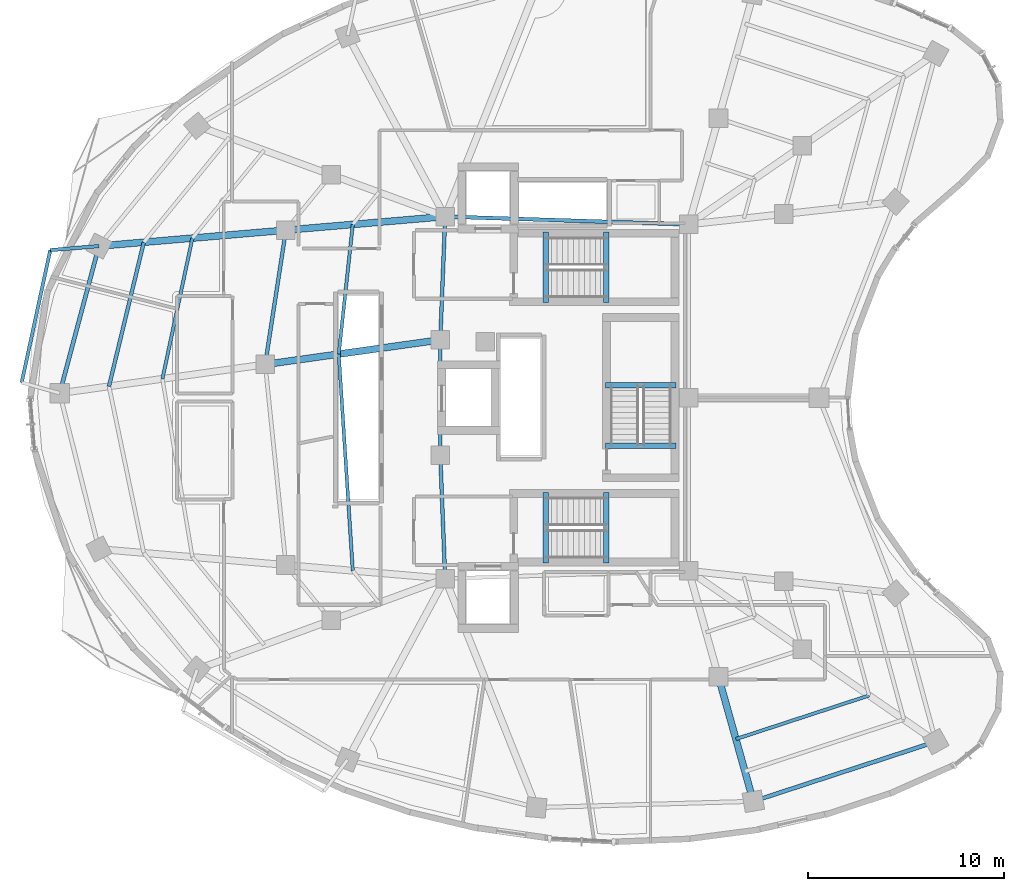
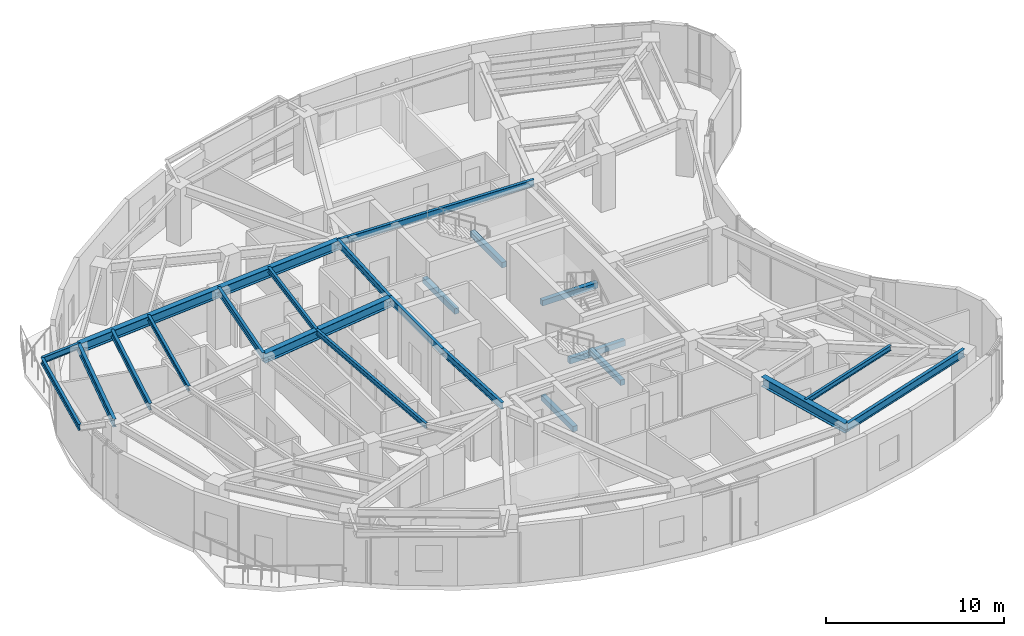
# One storey, part 3 of 15: 24 beams.
"""IFC4 building model written with IfcOpenShell, lengths in metres."""

from ifc_helpers import new_model, si_unit, direction, frame, origin, origin_2d, place, context, subcontext, project, spatial, rectangle, i_section, extrude, material, material_profile, profile_set, type_object, element, save


model = new_model("IFC4")

# Units and contexts
model_context = context("Model", 3, precision=1e-05, world=origin(), true_north=direction((0.0, 1.0)))
body_context = subcontext(model_context, "Body", "Model", "MODEL_VIEW")
ifc_project = project(units=[si_unit("LENGTHUNIT", "METRE"), si_unit("AREAUNIT", "SQUARE_METRE"), si_unit("VOLUMEUNIT", "CUBIC_METRE"), si_unit("PLANEANGLEUNIT", "RADIAN"), si_unit("MASSUNIT", "GRAM", prefix="KILO")], contexts=[model_context])

# Site, building, storey
site_placement = place(None, origin())
site = spatial("IfcSite", under=ifc_project, at=site_placement, CompositionType="ELEMENT")
building_placement = place(site_placement, origin())
building = spatial("IfcBuilding", under=site, at=building_placement, Name="Korentha Bioscience Tower", CompositionType="ELEMENT")
storey_placement = place(building_placement, frame((0.0, 0.0, 235.199951171875)))
storey = spatial("IfcBuildingStorey", under=building, at=storey_placement, Name="L54", CompositionType="ELEMENT", Elevation=235.199951171875)

# Beams
ifc_material_1 = material(Name="Concrete C50", Category="concrete")
ifc_material_profile_1 = material_profile(ifc_material_1, rectangle(XDim=0.280029296875, YDim=0.3798828125, at=origin_2d()), Name="Concrete C50")
ifc_profile_set_1 = profile_set([ifc_material_profile_1], Name="Concrete C50 (ST-HB380)")
beam_type_1 = type_object("IfcBeamType", Name="Concrete Stair Header Beam RC 280x380", PredefinedType="BEAM", material=ifc_profile_set_1)
for number, where, z_axis, x_axis, name in (
    (1, (30.25, 31.85009765625, -0.18994140625), (0.0, 1.0, 0.0), (-1.0, 0.0, 0.0), "L54 ST-1 Concrete Stair Header Beam"),
    (2, (33.330078125, 31.85009765625, 1.91015625), (0.0, 1.0, 0.0), (-1.0, 0.0, 0.0), "L54 ST-1 Half-Landing Header Beam 1"),
    (3, (30.25, 18.550048828125, -0.18994140625), (0.0, 1.0, 0.0), (-1.0, 0.0, 0.0), "L54 ST-2 Concrete Stair Header Beam"),
    (4, (33.330078125, 18.550048828125, 1.91015625), (0.0, 1.0, 0.0), (-1.0, 0.0, 0.0), "L54 ST-2 Half-Landing Header Beam 1"),
    (5, (36.89990234375, 24.550048828125, -0.18994140625), (-1.0, 0.0, 0.0), (0.0, -1.0, 0.0), "L54 ST-3 Concrete Stair Header Beam"),
    (6, (36.89990234375, 27.6298828125, 1.91015625), (-1.0, 0.0, 0.0), (0.0, -1.0, 0.0), "L54 ST-3 Half-Landing Header Beam 1"),
):
    element("IfcBeam", number, at=place(storey_placement, frame(where, z_axis=z_axis, x_axis=x_axis)), inside=storey, type_object=beam_type_1, Name=name, PredefinedType="BEAM", context=body_context, shape_type="SweptSolid", body=[
        extrude(rectangle(XDim=0.280029296875, YDim=0.3798828125, at=origin_2d()), origin(), (0.0, 0.0, 1.0), 3.599853515625),
    ])
ifc_material_2 = material(Name="Steel S355", Category="steel")
ifc_material_profile_2 = material_profile(ifc_material_2, i_section(OverallWidth=0.18994140625, OverallDepth=0.45703125, WebThickness=0.009033203125, FlangeThickness=0.014404296875, at=origin_2d()), Name="Steel S355")
ifc_profile_set_2 = profile_set([ifc_material_profile_2], Name="Steel S355 (MB-460)")
beam_type_2 = type_object("IfcBeamType", Name="Mid-Ring Tie Girder W460x74", PredefinedType="BEAM", material=ifc_profile_set_2)
beam_1_placement = place(storey_placement, frame((16.96044921875, 35.555908203125, 3.671630859375), z_axis=(-0.152313520838, -0.988332227224, 0.0), x_axis=(0.988332227224, -0.152313520838, 0.0)))
element("IfcBeam", 7, at=beam_1_placement, inside=storey, type_object=beam_type_2, Name="L54 Mid-Ring Tie Girder 06", PredefinedType="BEAM", context=body_context, shape_type="SweptSolid", body=[
    extrude(i_section(OverallWidth=0.18994140625, OverallDepth=0.45703125, WebThickness=0.009033203125, FlangeThickness=0.014404296875, at=origin_2d()), origin(), (0.0, 0.0, 1.0), 6.942138671875),
])
beam_2_placement = place(storey_placement, frame((37.550048828125, 35.85009765625, 3.671630859375), z_axis=(-0.999484526071, 0.032104238723, 0.0), x_axis=(-0.032104238723, -0.999484526071, 0.0)))
element("IfcBeam", 8, at=beam_2_placement, inside=storey, type_object=beam_type_2, Name="L54 Core Ring Tie Girder 01", PredefinedType="BEAM", context=body_context, shape_type="SweptSolid", body=[
    extrude(i_section(OverallWidth=0.18994140625, OverallDepth=0.45703125, WebThickness=0.009033203125, FlangeThickness=0.014404296875, at=origin_2d()), origin(), (0.0, 0.0, 1.0), 12.456298828125),
])
beam_3_placement = place(storey_placement, frame((25.10009765625, 36.25, 3.671630859375), z_axis=(-0.039651025576, -0.999213588864, 0.0), x_axis=(0.999213588864, -0.039651025576, 0.0)))
element("IfcBeam", 9, at=beam_3_placement, inside=storey, type_object=beam_type_2, Name="L54 Core Ring Tie Girder 02", PredefinedType="BEAM", context=body_context, shape_type="SweptSolid", body=[
    extrude(i_section(OverallWidth=0.18994140625, OverallDepth=0.45703125, WebThickness=0.009033203125, FlangeThickness=0.014404296875, at=origin_2d()), origin(), (0.0, 0.0, 1.0), 6.304931640625),
])
beam_4_placement = place(storey_placement, frame((24.85009765625, 29.949951171875, 3.671630859375), z_axis=(0.0, -1.0, 0.0), x_axis=(1.0, 0.0, 0.0)))
element("IfcBeam", 10, at=beam_4_placement, inside=storey, type_object=beam_type_2, Name="L54 Core Ring Tie Girder 03", PredefinedType="BEAM", context=body_context, shape_type="SweptSolid", body=[
    extrude(i_section(OverallWidth=0.18994140625, OverallDepth=0.45703125, WebThickness=0.009033203125, FlangeThickness=0.014404296875, at=origin_2d()), origin(), (0.0, 0.0, 1.0), 5.89990234375),
])
beam_5_placement = place(storey_placement, frame((24.85009765625, 24.050048828125, 3.671630859375), z_axis=(0.039651025576, -0.999213588864, 0.0), x_axis=(0.999213588864, 0.039651025576, 0.0)))
element("IfcBeam", 11, at=beam_5_placement, inside=storey, type_object=beam_type_2, Name="L54 Core Ring Tie Girder 04", PredefinedType="BEAM", context=body_context, shape_type="SweptSolid", body=[
    extrude(i_section(OverallWidth=0.18994140625, OverallDepth=0.45703125, WebThickness=0.009033203125, FlangeThickness=0.014404296875, at=origin_2d()), origin(), (0.0, 0.0, 1.0), 6.304931640625),
])
ifc_material_profile_3 = material_profile(ifc_material_2, i_section(OverallWidth=0.208984375, OverallDepth=0.532958984375, WebThickness=0.01025390625, FlangeThickness=0.015625, at=origin_2d()), Name="Steel S355")
ifc_profile_set_3 = profile_set([ifc_material_profile_3], Name="Steel S355 (SB-530)")
beam_type_3 = type_object("IfcBeamType", Name="Perimeter Ring Spandrel Girder W530x92", PredefinedType="SPANDREL", material=ifc_profile_set_3)
beam_6_placement = place(storey_placement, frame((7.4052734375, 34.741455078125, 3.633544921875), z_axis=(-0.257674365533, -0.966231815532, 0.0), x_axis=(0.966231815532, -0.257674365533, 0.0)))
element("IfcBeam", 12, at=beam_6_placement, inside=storey, type_object=beam_type_3, Name="L54 Perimeter Spandrel Girder 06", PredefinedType="SPANDREL", context=body_context, shape_type="SweptSolid", body=[
    extrude(i_section(OverallWidth=0.208984375, OverallDepth=0.532958984375, WebThickness=0.01025390625, FlangeThickness=0.015625, at=origin_2d()), origin(), (0.0, 0.0, 1.0), 7.782470703125),
])
beam_7_placement = place(storey_placement, frame((40.846923828125, 6.367919921875, 3.633544921875), z_axis=(0.950449256032, 0.310879738338, 0.0), x_axis=(-0.310879738338, 0.950449256032, 0.0)))
element("IfcBeam", 13, at=beam_7_placement, inside=storey, type_object=beam_type_3, Name="L54 Perimeter Spandrel Girder 12", PredefinedType="SPANDREL", context=body_context, shape_type="SweptSolid", body=[
    extrude(i_section(OverallWidth=0.208984375, OverallDepth=0.532958984375, WebThickness=0.01025390625, FlangeThickness=0.015625, at=origin_2d()), origin(), (0.0, 0.0, 1.0), 9.81494140625),
])
ifc_material_profile_4 = material_profile(ifc_material_2, i_section(OverallWidth=0.18994140625, OverallDepth=0.45703125, WebThickness=0.009033203125, FlangeThickness=0.014404296875, at=origin_2d()), Name="Steel S355")
ifc_profile_set_4 = profile_set([ifc_material_profile_4], Name="Steel S355 (RB-460)")
beam_type_4 = type_object("IfcBeamType", Name="Radial Laboratory Beam W460x74", PredefinedType="BEAM", material=ifc_profile_set_4)
beam_8_placement = place(storey_placement, frame((9.698486328125, 34.93701171875, 3.671630859375), z_axis=(-0.234745571737, -0.972056848415, 0.0), x_axis=(0.972056848415, -0.234745571737, 0.0)))
element("IfcBeam", 14, at=beam_8_placement, inside=storey, type_object=beam_type_4, Name="L54 Secondary Floor Beam JSTO-06", PredefinedType="BEAM", context=body_context, shape_type="SweptSolid", body=[
    extrude(i_section(OverallWidth=0.18994140625, OverallDepth=0.45703125, WebThickness=0.009033203125, FlangeThickness=0.014404296875, at=origin_2d()), origin(), (0.0, 0.0, 1.0), 7.573486328125),
])
ifc_material_profile_5 = material_profile(ifc_material_2, i_section(OverallWidth=0.35009765625, OverallDepth=0.64990234375, WebThickness=0.01611328125, FlangeThickness=0.02490234375, at=origin_2d()), Name="Steel S355")
ifc_profile_set_5 = profile_set([ifc_material_profile_5], Name="Steel S355 (RB-650)")
beam_type_5 = type_object("IfcBeamType", Name="Radial Laboratory Girder CVS 650x208", PredefinedType="BEAM", material=ifc_profile_set_5)
beam_9_placement = place(storey_placement, frame((25.10009765625, 36.25, 3.574951171875), z_axis=(-0.996383970884, -0.084964595957, 0.0), x_axis=(0.084964595957, -0.996383970884, 0.0)))
element("IfcBeam", 15, at=beam_9_placement, inside=storey, type_object=beam_type_5, Name="L54 Inner Radial Girder 06", PredefinedType="BEAM", context=body_context, shape_type="SweptSolid", body=[
    extrude(i_section(OverallWidth=0.35009765625, OverallDepth=0.64990234375, WebThickness=0.01611328125, FlangeThickness=0.02490234375, at=origin_2d()), origin(), (0.0, 0.0, 1.0), 8.169189453125),
])
beam_10_placement = place(storey_placement, frame((16.96044921875, 35.555908203125, 3.574951171875), z_axis=(-0.996387014591, -0.084928894698, 0.0), x_axis=(0.084928894698, -0.996387014591, 0.0)))
element("IfcBeam", 16, at=beam_10_placement, inside=storey, type_object=beam_type_5, Name="L54 Outer Radial Girder 06", PredefinedType="BEAM", context=body_context, shape_type="SweptSolid", body=[
    extrude(i_section(OverallWidth=0.35009765625, OverallDepth=0.64990234375, WebThickness=0.01611328125, FlangeThickness=0.02490234375, at=origin_2d()), origin(), (0.0, 0.0, 1.0), 9.58984375),
])
beam_11_placement = place(storey_placement, frame((24.85009765625, 29.949951171875, 3.574951171875), z_axis=(-0.990303045163, -0.138924003471, 0.0), x_axis=(0.138924003471, -0.990303045163, 0.0)))
element("IfcBeam", 17, at=beam_11_placement, inside=storey, type_object=beam_type_5, Name="L54 Inner Radial Girder 07", PredefinedType="BEAM", context=body_context, shape_type="SweptSolid", body=[
    extrude(i_section(OverallWidth=0.35009765625, OverallDepth=0.64990234375, WebThickness=0.01611328125, FlangeThickness=0.02490234375, at=origin_2d()), origin(), (0.0, 0.0, 1.0), 9.03466796875),
])
beam_12_placement = place(storey_placement, frame((39.066650390625, 12.730224609375, 3.574951171875), z_axis=(0.269465439817, -0.963010060562, 0.0), x_axis=(0.963010060562, 0.269465439817, 0.0)))
element("IfcBeam", 18, at=beam_12_placement, inside=storey, type_object=beam_type_5, Name="L54 Outer Radial Girder 12", PredefinedType="BEAM", context=body_context, shape_type="SweptSolid", body=[
    extrude(i_section(OverallWidth=0.35009765625, OverallDepth=0.64990234375, WebThickness=0.01611328125, FlangeThickness=0.02490234375, at=origin_2d()), origin(), (0.0, 0.0, 1.0), 6.606689453125),
])
ifc_material_profile_6 = material_profile(ifc_material_2, i_section(OverallWidth=0.1708984375, OverallDepth=0.35498046875, WebThickness=0.007080078125, FlangeThickness=0.01171875, at=origin_2d()), Name="Steel S355")
ifc_profile_set_6 = profile_set([ifc_material_profile_6], Name="Steel S355 (JB-360)")
beam_type_6 = type_object("IfcBeamType", Name="Secondary Laboratory Joist W360x51", PredefinedType="JOIST", material=ifc_profile_set_6)
beam_13_placement = place(storey_placement, frame((12.182861328125, 35.148681640625, 3.72265625), z_axis=(-0.208286097384, -0.978067943262, 0.0), x_axis=(0.978067943262, -0.208286097384, 0.0)))
element("IfcBeam", 19, at=beam_13_placement, inside=storey, type_object=beam_type_6, Name="L54 Secondary Floor Beam JST-06", PredefinedType="JOIST", context=body_context, shape_type="SweptSolid", body=[
    extrude(i_section(OverallWidth=0.1708984375, OverallDepth=0.35498046875, WebThickness=0.007080078125, FlangeThickness=0.01171875, at=origin_2d()), origin(), (0.0, 0.0, 1.0), 7.3515625),
])
beam_14_placement = place(storey_placement, frame((20.37890625, 35.847412109375, 3.72265625), z_axis=(-0.107777397045, -0.99417505133, 0.0), x_axis=(0.99417505133, -0.107777397045, 0.0)))
element("IfcBeam", 20, at=beam_14_placement, inside=storey, type_object=beam_type_6, Name="L54 Inner Bay Joist 06", PredefinedType="JOIST", context=body_context, shape_type="SweptSolid", body=[
    extrude(i_section(OverallWidth=0.1708984375, OverallDepth=0.35498046875, WebThickness=0.007080078125, FlangeThickness=0.01171875, at=origin_2d()), origin(), (0.0, 0.0, 1.0), 6.664306640625),
])
beam_15_placement = place(storey_placement, frame((19.66064453125, 29.221923828125, 3.72265625), z_axis=(0.064751345522, -0.997901429628, 0.0), x_axis=(0.997901429628, 0.064751345522, 0.0)))
element("IfcBeam", 21, at=beam_15_placement, inside=storey, type_object=beam_type_6, Name="L54 Inner Bay Joist 07", PredefinedType="JOIST", context=body_context, shape_type="SweptSolid", body=[
    extrude(i_section(OverallWidth=0.1708984375, OverallDepth=0.35498046875, WebThickness=0.007080078125, FlangeThickness=0.01171875, at=origin_2d()), origin(), (0.0, 0.0, 1.0), 11.092529296875),
])
beam_16_placement = place(storey_placement, frame((39.956787109375, 9.54931640625, 3.72265625), z_axis=(0.950453704863, 0.310866136646, 0.0), x_axis=(-0.310866136646, 0.950453704863, 0.0)))
element("IfcBeam", 22, at=beam_16_placement, inside=storey, type_object=beam_type_6, Name="L54 Secondary Floor Beam JST-12", PredefinedType="JOIST", context=body_context, shape_type="SweptSolid", body=[
    extrude(i_section(OverallWidth=0.1708984375, OverallDepth=0.35498046875, WebThickness=0.007080078125, FlangeThickness=0.01171875, at=origin_2d()), origin(), (0.0, 0.0, 1.0), 7.164794921875),
])
ifc_material_profile_7 = material_profile(ifc_material_2, i_section(OverallWidth=0.177978515625, OverallDepth=0.406982421875, WebThickness=0.0078125, FlangeThickness=0.0126953125, at=origin_2d()), Name="Steel S355")
ifc_profile_set_7 = profile_set([ifc_material_profile_7], Name="Steel S355 (CB-410)")
beam_type_7 = type_object("IfcBeamType", Name="Sun-Ledge Cantilever Beam W410x60", PredefinedType="BEAM", material=ifc_profile_set_7)
beam_17_placement = place(storey_placement, frame((7.4052734375, 34.741455078125, 3.698486328125), z_axis=(-0.996527515285, -0.083264105597, 0.0), x_axis=(0.083264105597, -0.996527515285, 0.0)))
element("IfcBeam", 23, at=beam_17_placement, inside=storey, type_object=beam_type_7, Name="L54 Balcony Cantilever Bracket A-L55-02", PredefinedType="BEAM", context=body_context, shape_type="SweptSolid", body=[
    extrude(i_section(OverallWidth=0.177978515625, OverallDepth=0.406982421875, WebThickness=0.0078125, FlangeThickness=0.0126953125, at=origin_2d()), origin(), (0.0, 0.0, 1.0), 2.4951171875),
])
beam_18_placement = place(storey_placement, frame((4.918701171875, 34.53369140625, 3.698486328125), z_axis=(-0.210907290935, -0.977506068846, 0.0), x_axis=(0.977506068846, -0.210907290935, 0.0)))
element("IfcBeam", 24, at=beam_18_placement, inside=storey, type_object=beam_type_7, Name="L54 Balcony Edge Trimmer Beam L55-02", PredefinedType="BEAM", context=body_context, shape_type="SweptSolid", body=[
    extrude(i_section(OverallWidth=0.177978515625, OverallDepth=0.406982421875, WebThickness=0.0078125, FlangeThickness=0.0126953125, at=origin_2d()), origin(), (0.0, 0.0, 1.0), 6.918701171875),
])

save(model, "model.ifc")
